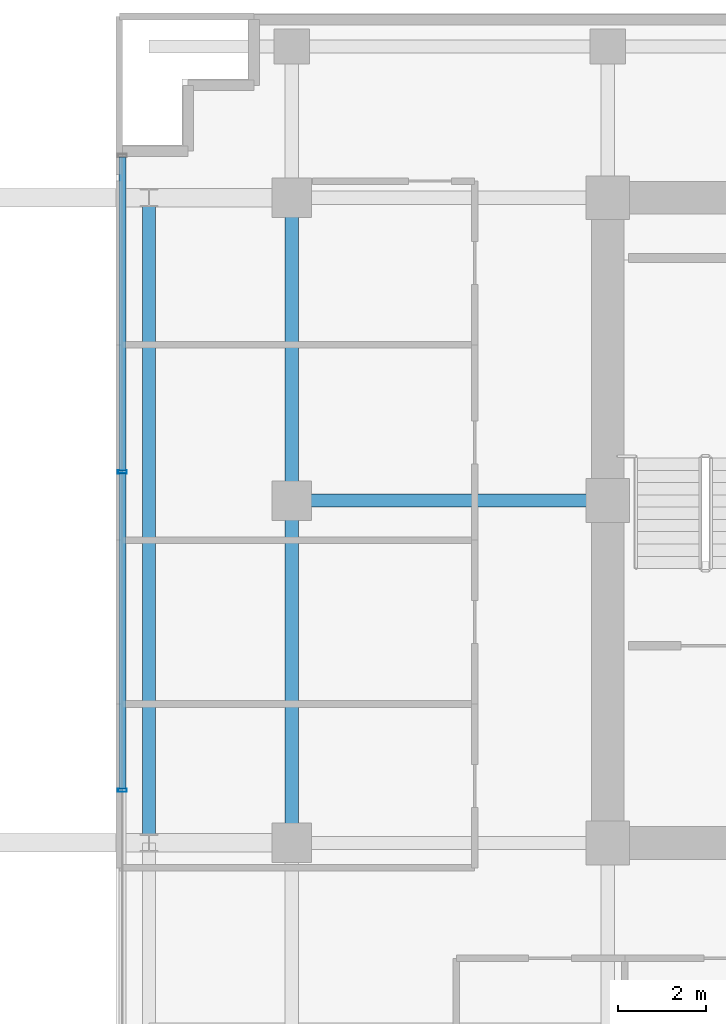
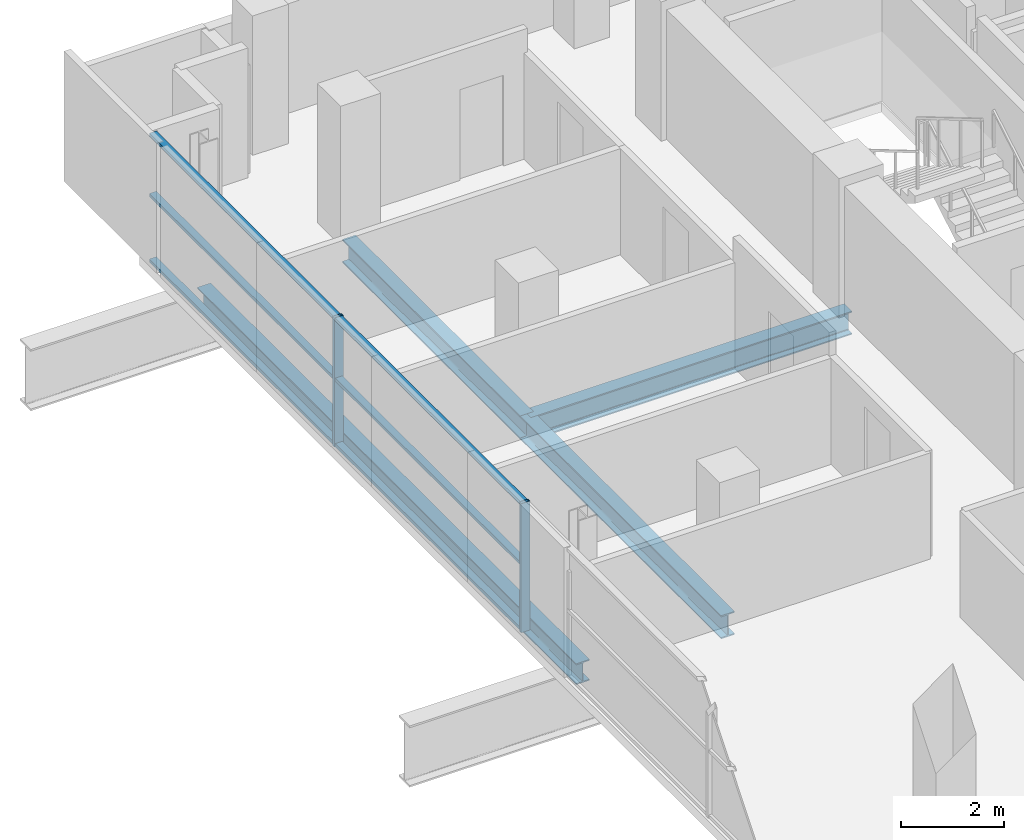
# One storey, part 9 of 27: 8 members, 4 beams, 1 element without a shape of its own.
"""IFC4 building model written with IfcOpenShell, lengths in metres."""

from ifc_helpers import new_model, si_unit, direction, frame, origin, origin_2d, place, context, subcontext, project, spatial, hollow_rectangle, i_section, extrude, source, transform, mapped, material, layer, layer_set, material_profile, profile_set, type_object, element, aggregate, save


model = new_model("IFC4")

# Units and contexts
model_context = context("Model", 3, precision=1e-05, world=origin(), true_north=direction((0.0, 1.0)))
body_context = subcontext(model_context, "Body", "Model", "MODEL_VIEW")
ifc_project = project(units=[si_unit("LENGTHUNIT", "METRE"), si_unit("AREAUNIT", "SQUARE_METRE"), si_unit("VOLUMEUNIT", "CUBIC_METRE"), si_unit("PLANEANGLEUNIT", "RADIAN"), si_unit("MASSUNIT", "GRAM", prefix="KILO")], contexts=[model_context])

# Site, building, storey
site_placement = place(None, origin())
site = spatial("IfcSite", under=ifc_project, at=site_placement, CompositionType="ELEMENT")
building_placement = place(site_placement, origin())
building = spatial("IfcBuilding", under=site, at=building_placement, Name="Zarnakvel Exchange Tower", CompositionType="ELEMENT")
storey_placement = place(building_placement, frame((0.0, 0.0, 113.199951171875)))
storey = spatial("IfcBuildingStorey", under=building, at=storey_placement, Name="L31", CompositionType="ELEMENT", Elevation=113.199951171875)

# Beams
ifc_material_1 = material(Name="Steel S355", Category="steel")
ifc_material_profile_1 = material_profile(ifc_material_1, i_section(OverallWidth=0.300048828125, OverallDepth=0.550048828125, WebThickness=0.014892578125, FlangeThickness=0.029052734375, FilletRadius=0.027099609375, at=origin_2d()))
ifc_profile_set_1 = profile_set([ifc_material_profile_1], Name="Steel S355")
beam_type_1 = type_object("IfcBeamType", Name="G-05", PredefinedType="BEAM", material=ifc_profile_set_1)
beam_1_placement = place(storey_placement, frame((-21.60009765625, 6.60009765625, -0.5), z_axis=(1.0, 0.0, 0.0), x_axis=(0.0, 1.0, 0.0)))
element("IfcBeam", 1, at=beam_1_placement, inside=storey, type_object=beam_type_1, Name="L31 Tower E-W Frame Beam", PredefinedType="BEAM", context=body_context, shape_type="SweptSolid", body=[
    extrude(i_section(OverallWidth=0.300048828125, OverallDepth=0.550048828125, WebThickness=0.014892578125, FlangeThickness=0.029052734375, FilletRadius=0.027099609375, at=origin_2d()), origin(), (0.0, 0.0, 1.0), 7.2001953125),
])
beam_2_placement = place(storey_placement, frame((-21.60009765625, -1.199951171875, -0.5), z_axis=(0.0, 1.0, 0.0), x_axis=(-1.0, 0.0, 0.0)))
element("IfcBeam", 2, at=beam_2_placement, inside=storey, type_object=beam_type_1, Name="L31 Tower N-S Frame Beam", PredefinedType="BEAM", context=body_context, shape_type="SweptSolid", body=[
    extrude(i_section(OverallWidth=0.300048828125, OverallDepth=0.550048828125, WebThickness=0.014892578125, FlangeThickness=0.029052734375, FilletRadius=0.027099609375, at=origin_2d()), origin(), (0.0, 0.0, 1.0), 7.800048828125),
])
beam_3_placement = place(storey_placement, frame((-21.60009765625, 6.60009765625, -0.5), z_axis=(0.0, 1.0, 0.0), x_axis=(-1.0, 0.0, 0.0)))
element("IfcBeam", 3, at=beam_3_placement, inside=storey, type_object=beam_type_1, Name="L31 Tower N-S Frame Beam", PredefinedType="BEAM", context=body_context, shape_type="SweptSolid", body=[
    extrude(i_section(OverallWidth=0.300048828125, OverallDepth=0.550048828125, WebThickness=0.014892578125, FlangeThickness=0.029052734375, FilletRadius=0.027099609375, at=origin_2d()), origin(), (0.0, 0.0, 1.0), 6.89990234375),
])
ifc_material_profile_2 = material_profile(ifc_material_1, i_section(OverallWidth=0.300048828125, OverallDepth=0.5, WebThickness=0.014404296875, FlangeThickness=0.028076171875, FilletRadius=0.027099609375, at=origin_2d()))
ifc_profile_set_2 = profile_set([ifc_material_profile_2], Name="Steel S355")
beam_type_2 = type_object("IfcBeamType", Name="SP-02", PredefinedType="SPANDREL", material=ifc_profile_set_2)
beam_4_placement = place(storey_placement, frame((-24.85009765625, -1.199951171875, -0.474853515625), z_axis=(0.0, 1.0, 0.0), x_axis=(-1.0, 0.0, 0.0)))
element("IfcBeam", 4, at=beam_4_placement, inside=storey, type_object=beam_type_2, Name="L31 Tower N-S Frame Beam", PredefinedType="SPANDREL", context=body_context, shape_type="SweptSolid", body=[
    extrude(i_section(OverallWidth=0.300048828125, OverallDepth=0.5, WebThickness=0.014404296875, FlangeThickness=0.028076171875, FilletRadius=0.027099609375, at=origin_2d()), origin(), (0.0, 0.0, 1.0), 14.699951171875),
])

# Curtain wall, members
ifc_material_2 = material(Name="Architectural Bronze Anodised Aluminium", Category="aluminium")
ifc_layer = layer(ifc_material_2, 0.199951171875)
ifc_layer_set = layer_set([ifc_layer], Name="Architectural Bronze Anodised Aluminium")
curtain_wall_type = type_object("IfcCurtainWallType", Name="CW-04", PredefinedType="NOTDEFINED", material=ifc_layer_set)
curtain_wall_placement = place(storey_placement, origin())
curtain_wall = element("IfcCurtainWall", 5, at=curtain_wall_placement, inside=storey, type_object=curtain_wall_type, Name="L31 Curtain Wall CW-L31-W1 (CW-04)", PredefinedType="NOTDEFINED")
ifc_material_profile_3 = material_profile(ifc_material_2, hollow_rectangle(XDim=0.199951171875, YDim=0.074951171875, WallThickness=0.0048828125, at=origin_2d()))
ifc_profile_set_3 = profile_set([ifc_material_profile_3], Name="Architectural Bronze Anodised Aluminium")
member_type_1 = type_object("IfcMemberType", Name="CWM-04", PredefinedType="MULLION", material=ifc_profile_set_3)
shared_shape_1 = source(origin(), body_context, "Body", "SweptSolid", [
    extrude(hollow_rectangle(XDim=0.199951171875, YDim=0.074951171875, WallThickness=0.0048828125, at=origin_2d()), origin(), (0.0, 0.0, 1.0), 3.054931640625),
])
member_1_placement = place(storey_placement, frame((-25.4599609375, 0.0, 0.0), z_axis=(0.0, 0.0, 1.0), x_axis=(-1.0, 0.0, 0.0)))
member_1 = element("IfcMember", 6, at=member_1_placement, type_object=member_type_1, Name="CW-04 mullion 3", PredefinedType="MULLION", context=body_context, shape_type="MappedRepresentation", body=[
    mapped(shared_shape_1, transform((0.0, 0.0, 0.0), x_axis=(1.0, 0.0, 0.0), y_axis=(0.0, 1.0, 0.0), z_axis=(0.0, 0.0, 1.0), scale=1.0)),
])
member_2_placement = place(storey_placement, frame((-25.4599609375, 7.25, 0.0), z_axis=(0.0, 0.0, 1.0), x_axis=(-1.0, 0.0, 0.0)))
member_2 = element("IfcMember", 7, at=member_2_placement, type_object=member_type_1, Name="CW-04 mullion 4", PredefinedType="MULLION", context=body_context, shape_type="MappedRepresentation", body=[
    mapped(shared_shape_1, transform((0.0, 0.0, 0.0), x_axis=(1.0, 0.0, 0.0), y_axis=(0.0, 1.0, 0.0), z_axis=(0.0, 0.0, 1.0), scale=1.0)),
])
ifc_material_profile_4 = material_profile(ifc_material_2, hollow_rectangle(XDim=0.159912109375, YDim=0.074951171875, WallThickness=0.00390625, at=origin_2d()))
ifc_profile_set_4 = profile_set([ifc_material_profile_4], Name="Architectural Bronze Anodised Aluminium")
member_type_2 = type_object("IfcMemberType", Name="CWT-04", PredefinedType="USERDEFINED", material=ifc_profile_set_4)
shared_shape_2 = source(origin(), body_context, "Body", "SweptSolid", [
    extrude(hollow_rectangle(XDim=0.159912109375, YDim=0.074951171875, WallThickness=0.00390625, at=origin_2d()), origin(), (0.0, 0.0, 1.0), 7.137451171875),
])
member_3_placement = place(storey_placement, frame((-25.4599609375, 7.28759765625, 0.03759765625), z_axis=(0.0, 1.0, 0.0), x_axis=(-1.0, 0.0, 0.0)))
member_3 = element("IfcMember", 8, at=member_3_placement, type_object=member_type_2, Name="CW-04 transom 4.1", ObjectType="TRANSOM", PredefinedType="USERDEFINED", context=body_context, shape_type="MappedRepresentation", body=[
    mapped(shared_shape_2, transform((0.0, 0.0, 0.0), x_axis=(1.0, 0.0, 0.0), y_axis=(0.0, 1.0, 0.0), z_axis=(0.0, 0.0, 1.0), scale=1.0)),
])
member_4_placement = place(storey_placement, frame((-25.4599609375, 7.28759765625, 1.588623046875), z_axis=(0.0, 1.0, 0.0), x_axis=(-1.0, 0.0, 0.0)))
member_4 = element("IfcMember", 9, at=member_4_placement, type_object=member_type_2, Name="CW-04 transom 4.2", ObjectType="TRANSOM", PredefinedType="USERDEFINED", context=body_context, shape_type="MappedRepresentation", body=[
    mapped(shared_shape_2, transform((0.0, 0.0, 0.0), x_axis=(1.0, 0.0, 0.0), y_axis=(0.0, 1.0, 0.0), z_axis=(0.0, 0.0, 1.0), scale=1.0)),
])
member_5_placement = place(storey_placement, frame((-25.4599609375, 7.28759765625, 3.017578125), z_axis=(0.0, 1.0, 0.0), x_axis=(-1.0, 0.0, 0.0)))
member_5 = element("IfcMember", 10, at=member_5_placement, type_object=member_type_2, Name="CW-04 transom 4.3", ObjectType="TRANSOM", PredefinedType="USERDEFINED", context=body_context, shape_type="MappedRepresentation", body=[
    mapped(shared_shape_2, transform((0.0, 0.0, 0.0), x_axis=(1.0, 0.0, 0.0), y_axis=(0.0, 1.0, 0.0), z_axis=(0.0, 0.0, 1.0), scale=1.0)),
])
shared_shape_3 = source(origin(), body_context, "Body", "SweptSolid", [
    extrude(hollow_rectangle(XDim=0.159912109375, YDim=0.074951171875, WallThickness=0.00390625, at=origin_2d()), origin(), (0.0, 0.0, 1.0), 7.1748046875),
])
member_6_placement = place(storey_placement, frame((-25.4599609375, 0.03759765625, 0.03759765625), z_axis=(0.0, 1.0, 0.0), x_axis=(-1.0, 0.0, 0.0)))
member_6 = element("IfcMember", 11, at=member_6_placement, type_object=member_type_2, Name="CW-04 transom 3.1", ObjectType="TRANSOM", PredefinedType="USERDEFINED", context=body_context, shape_type="MappedRepresentation", body=[
    mapped(shared_shape_3, transform((0.0, 0.0, 0.0), x_axis=(1.0, 0.0, 0.0), y_axis=(0.0, 1.0, 0.0), z_axis=(0.0, 0.0, 1.0), scale=1.0)),
])
member_7_placement = place(storey_placement, frame((-25.4599609375, 0.03759765625, 1.588623046875), z_axis=(0.0, 1.0, 0.0), x_axis=(-1.0, 0.0, 0.0)))
member_7 = element("IfcMember", 12, at=member_7_placement, type_object=member_type_2, Name="CW-04 transom 3.2", ObjectType="TRANSOM", PredefinedType="USERDEFINED", context=body_context, shape_type="MappedRepresentation", body=[
    mapped(shared_shape_3, transform((0.0, 0.0, 0.0), x_axis=(1.0, 0.0, 0.0), y_axis=(0.0, 1.0, 0.0), z_axis=(0.0, 0.0, 1.0), scale=1.0)),
])
member_8_placement = place(storey_placement, frame((-25.4599609375, 0.03759765625, 3.017578125), z_axis=(0.0, 1.0, 0.0), x_axis=(-1.0, 0.0, 0.0)))
member_8 = element("IfcMember", 13, at=member_8_placement, type_object=member_type_2, Name="CW-04 transom 3.3", ObjectType="TRANSOM", PredefinedType="USERDEFINED", context=body_context, shape_type="MappedRepresentation", body=[
    mapped(shared_shape_3, transform((0.0, 0.0, 0.0), x_axis=(1.0, 0.0, 0.0), y_axis=(0.0, 1.0, 0.0), z_axis=(0.0, 0.0, 1.0), scale=1.0)),
])
aggregate(curtain_wall, [member_1, member_2, member_6, member_7, member_8, member_3, member_4, member_5])

save(model, "model.ifc")
